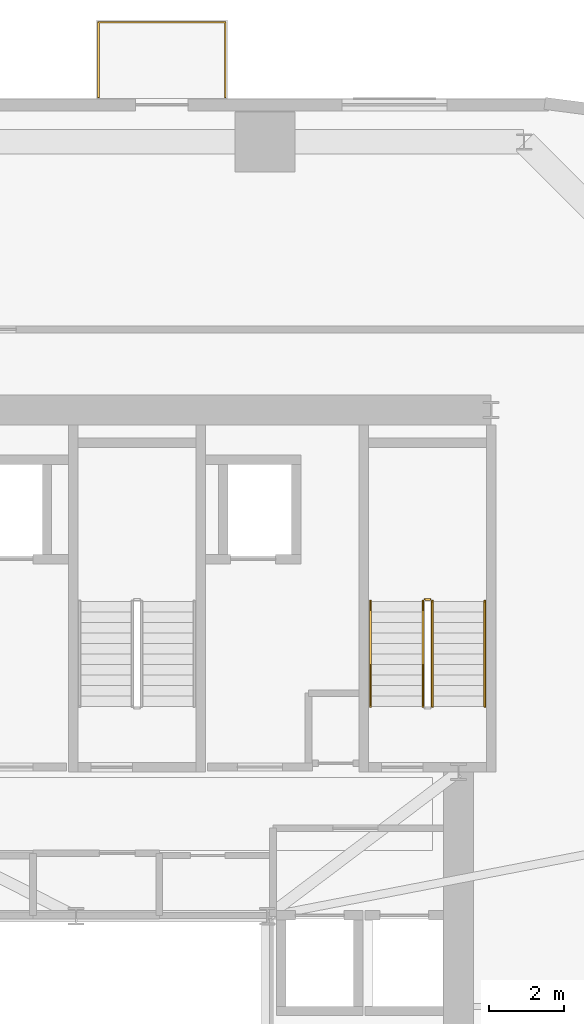
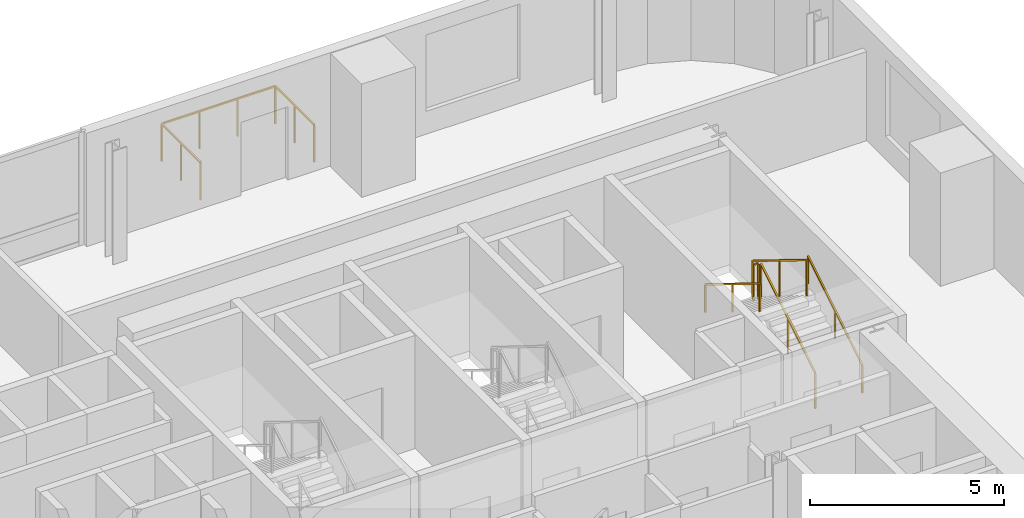
# One storey, part 14 of 14: 6 railings.
"""IFC4 building model written with IfcOpenShell, lengths in metres."""

from ifc_helpers import new_model, si_unit, direction, frame, origin, origin_2d, place, context, subcontext, project, spatial, rectangle, extrude, source, transform, mapped, material, type_object, element, save


model = new_model("IFC4")

# Units and contexts
model_context = context("Model", 3, precision=1e-05, world=origin(), true_north=direction((0.0, 1.0)))
body_context = subcontext(model_context, "Body", "Model", "MODEL_VIEW")
ifc_project = project(units=[si_unit("LENGTHUNIT", "METRE"), si_unit("AREAUNIT", "SQUARE_METRE"), si_unit("VOLUMEUNIT", "CUBIC_METRE"), si_unit("PLANEANGLEUNIT", "RADIAN"), si_unit("MASSUNIT", "GRAM", prefix="KILO")], contexts=[model_context])

# Site, building, storey
site_placement = place(None, origin())
site = spatial("IfcSite", under=ifc_project, at=site_placement, CompositionType="ELEMENT")
building_placement = place(site_placement, origin())
building = spatial("IfcBuilding", under=site, at=building_placement, Name="Vardaveli Station Tower", CompositionType="ELEMENT")
storey_placement = place(building_placement, frame((0.0, 0.0, 103.699951171875)))
storey = spatial("IfcBuildingStorey", under=building, at=storey_placement, Name="L26", CompositionType="ELEMENT", Elevation=103.699951171875)

# Railings
ifc_material_1 = material(Name="Laminated glass and stainless steel balustrade", Category="steel")
railing_type_1 = type_object("IfcRailingType", Name="RL-BAL-1200", PredefinedType="BALUSTRADE", material=ifc_material_1)
shared_shape_1 = source(origin(), body_context, "Body", "SweptSolid", [
    extrude(rectangle(XDim=0.048095703125, YDim=0.048095703125, at=origin_2d()), frame((0.0, 0.0, 1.17578125), z_axis=(0.0, 1.0, 0.0), x_axis=(-1.0, 0.0, 0.0)), (0.0, 0.0, 1.0), 2.0),
    extrude(rectangle(XDim=0.048095703125, YDim=0.048095703125, at=origin_2d()), frame((0.0, 2.0, 1.17578125), z_axis=(1.0, 0.0, 0.0), x_axis=(0.0, 1.0, 0.0)), (0.0, 0.0, 1.0), 3.3798828125),
    extrude(rectangle(XDim=0.048095703125, YDim=0.048095703125, at=origin_2d()), frame((3.3798828125, 2.0, 1.17578125), z_axis=(0.0, -1.0, 0.0), x_axis=(1.0, 0.0, 0.0)), (0.0, 0.0, 1.0), 2.0),
    extrude(rectangle(XDim=0.0419921875, YDim=0.0419921875, at=origin_2d()), origin(), (0.0, 0.0, 1.0), 1.15185546875),
    extrude(rectangle(XDim=0.0419921875, YDim=0.0419921875, at=origin_2d()), frame((0.0, 1.0, 0.0)), (0.0, 0.0, 1.0), 1.15185546875),
    extrude(rectangle(XDim=0.0419921875, YDim=0.0419921875, at=origin_2d()), frame((0.0, 2.0, 0.0)), (0.0, 0.0, 1.0), 1.15185546875),
    extrude(rectangle(XDim=0.0419921875, YDim=0.0419921875, at=origin_2d()), frame((1.126708984375, 2.0, 0.0)), (0.0, 0.0, 1.0), 1.15185546875),
    extrude(rectangle(XDim=0.0419921875, YDim=0.0419921875, at=origin_2d()), frame((2.253173828125, 2.0, 0.0)), (0.0, 0.0, 1.0), 1.15185546875),
    extrude(rectangle(XDim=0.0419921875, YDim=0.0419921875, at=origin_2d()), frame((3.3798828125, 2.0, 0.0)), (0.0, 0.0, 1.0), 1.15185546875),
    extrude(rectangle(XDim=0.0419921875, YDim=0.0419921875, at=origin_2d()), frame((3.3798828125, 1.0, 0.0)), (0.0, 0.0, 1.0), 1.15185546875),
    extrude(rectangle(XDim=0.0419921875, YDim=0.0419921875, at=origin_2d()), frame((3.3798828125, 0.0, 0.0)), (0.0, 0.0, 1.0), 1.15185546875),
])
railing_1_placement = place(storey_placement, frame((36.899658203125, 48.639892578125, 0.0)))
element("IfcRailing", 1, at=railing_1_placement, inside=storey, type_object=railing_type_1, Name="RL-LOG-L26-02", PredefinedType="BALUSTRADE", context=body_context, shape_type="MappedRepresentation", body=[
    mapped(shared_shape_1, transform((0.0, 0.0, 0.0), scale=1.0)),
])
ifc_material_2 = material(Name="Brushed AISI 316 stainless steel", Category="steel")
railing_type_2 = type_object("IfcRailingType", Name="RL-GUARD-1150", PredefinedType="GUARDRAIL", material=ifc_material_2)
shared_shape_2 = source(origin(), body_context, "Body", "SweptSolid", [
    extrude(rectangle(XDim=0.048095703125, YDim=0.048095703125, at=origin_2d()), frame((0.0, 0.0, 1.1259765625), z_axis=(-1.0, 0.0, 0.0), x_axis=(0.0, -1.0, 0.0)), (0.0, 0.0, 1.0), 0.14990234375),
    extrude(rectangle(XDim=0.0419921875, YDim=0.0419921875, at=origin_2d()), origin(), (0.0, 0.0, 1.0), 1.101806640625),
    extrude(rectangle(XDim=0.0419921875, YDim=0.0419921875, at=origin_2d()), frame((-0.14990234375, 0.0, 0.0)), (0.0, 0.0, 1.0), 1.101806640625),
])
railing_2_placement = place(storey_placement, frame((45.75, 35.25, 1.900146484375)))
element("IfcRailing", 2, at=railing_2_placement, inside=storey, type_object=railing_type_2, Name="L26 ST-3 stair guard 2", PredefinedType="GUARDRAIL", context=body_context, shape_type="MappedRepresentation", body=[
    mapped(shared_shape_2, transform((0.0, 0.0, 0.0), scale=1.0)),
])
shared_shape_3 = source(origin(), body_context, "Body", "SweptSolid", [
    extrude(rectangle(XDim=0.048095703125, YDim=0.048095703125, at=origin_2d()), frame((0.0, 0.0, 1.1259765625), z_axis=(0.0, 0.851089632645, 0.525020415988), x_axis=(-1.0, 0.0, 0.0)), (0.0, 0.0, 1.0), 3.2900390625),
    extrude(rectangle(XDim=0.0419921875, YDim=0.0419921875, at=origin_2d()), origin(), (0.0, 0.0, 1.0), 1.101806640625),
    extrude(rectangle(XDim=0.0419921875, YDim=0.0419921875, at=origin_2d()), frame((0.0, 1.39990234375, 0.86376953125)), (0.0, 0.0, 1.0), 1.101806640625),
    extrude(rectangle(XDim=0.0419921875, YDim=0.0419921875, at=origin_2d()), frame((0.0, 2.800048828125, 1.727294921875)), (0.0, 0.0, 1.0), 1.101806640625),
])
railing_3_placement = place(storey_placement, frame((45.800048828125, 32.39990234375, 0.1728515625)))
element("IfcRailing", 3, at=railing_3_placement, inside=storey, type_object=railing_type_2, Name="L26 ST-3 stair guard 1", PredefinedType="GUARDRAIL", context=body_context, shape_type="MappedRepresentation", body=[
    mapped(shared_shape_3, transform((0.0, 0.0, 0.0), scale=1.0)),
])
shared_shape_4 = source(origin(), body_context, "Body", "SweptSolid", [
    extrude(rectangle(XDim=0.048095703125, YDim=0.048095703125, at=origin_2d()), frame((0.0, 0.0, 1.1259765625), z_axis=(0.0, -0.851089632645, 0.525020415988), x_axis=(1.0, 0.0, 0.0)), (0.0, 0.0, 1.0), 3.2900390625),
    extrude(rectangle(XDim=0.0419921875, YDim=0.0419921875, at=origin_2d()), origin(), (0.0, 0.0, 1.0), 1.101806640625),
    extrude(rectangle(XDim=0.0419921875, YDim=0.0419921875, at=origin_2d()), frame((0.0, -1.39990234375, 0.86376953125)), (0.0, 0.0, 1.0), 1.101806640625),
    extrude(rectangle(XDim=0.0419921875, YDim=0.0419921875, at=origin_2d()), frame((0.0, -2.800048828125, 1.727294921875)), (0.0, 0.0, 1.0), 1.101806640625),
])
railing_4_placement = place(storey_placement, frame((45.550048828125, 35.199951171875, 2.07275390625)))
element("IfcRailing", 4, at=railing_4_placement, inside=storey, type_object=railing_type_2, Name="L26 ST-3 stair guard 3", PredefinedType="GUARDRAIL", context=body_context, shape_type="MappedRepresentation", body=[
    mapped(shared_shape_4, transform((0.0, 0.0, 0.0), scale=1.0)),
])
railing_type_3 = type_object("IfcRailingType", Name="RL-HAND-900", PredefinedType="HANDRAIL", material=ifc_material_2)
shared_shape_5 = source(origin(), body_context, "Body", "SweptSolid", [
    extrude(rectangle(XDim=0.048095703125, YDim=0.048095703125, at=origin_2d()), frame((0.0, 0.0, 0.8759765625), z_axis=(0.0, 0.851089632645, 0.525020415988), x_axis=(-1.0, 0.0, 0.0)), (0.0, 0.0, 1.0), 3.2900390625),
    extrude(rectangle(XDim=0.0419921875, YDim=0.0419921875, at=origin_2d()), origin(), (0.0, 0.0, 1.0), 0.851806640625),
    extrude(rectangle(XDim=0.0419921875, YDim=0.0419921875, at=origin_2d()), frame((0.0, 1.39990234375, 0.86376953125)), (0.0, 0.0, 1.0), 0.851806640625),
    extrude(rectangle(XDim=0.0419921875, YDim=0.0419921875, at=origin_2d()), frame((0.0, 2.800048828125, 1.727294921875)), (0.0, 0.0, 1.0), 0.851806640625),
])
railing_5_placement = place(storey_placement, frame((47.199951171875, 32.39990234375, 0.1728515625)))
element("IfcRailing", 5, at=railing_5_placement, inside=storey, type_object=railing_type_3, Name="L26 ST-3 stair handrail 1", PredefinedType="HANDRAIL", context=body_context, shape_type="MappedRepresentation", body=[
    mapped(shared_shape_5, transform((0.0, 0.0, 0.0), scale=1.0)),
])
shared_shape_6 = source(origin(), body_context, "Body", "SweptSolid", [
    extrude(rectangle(XDim=0.048095703125, YDim=0.048095703125, at=origin_2d()), frame((0.0, 0.0, 0.8759765625), z_axis=(0.0, -0.851089632645, 0.525020415988), x_axis=(1.0, 0.0, 0.0)), (0.0, 0.0, 1.0), 3.2900390625),
    extrude(rectangle(XDim=0.0419921875, YDim=0.0419921875, at=origin_2d()), origin(), (0.0, 0.0, 1.0), 0.851806640625),
    extrude(rectangle(XDim=0.0419921875, YDim=0.0419921875, at=origin_2d()), frame((0.0, -1.39990234375, 0.86376953125)), (0.0, 0.0, 1.0), 0.851806640625),
    extrude(rectangle(XDim=0.0419921875, YDim=0.0419921875, at=origin_2d()), frame((0.0, -2.800048828125, 1.727294921875)), (0.0, 0.0, 1.0), 0.851806640625),
])
railing_6_placement = place(storey_placement, frame((44.14990234375, 35.199951171875, 2.07275390625)))
element("IfcRailing", 6, at=railing_6_placement, inside=storey, type_object=railing_type_3, Name="L26 ST-3 stair handrail 2", PredefinedType="HANDRAIL", context=body_context, shape_type="MappedRepresentation", body=[
    mapped(shared_shape_6, transform((0.0, 0.0, 0.0), scale=1.0)),
])

save(model, "model.ifc")
